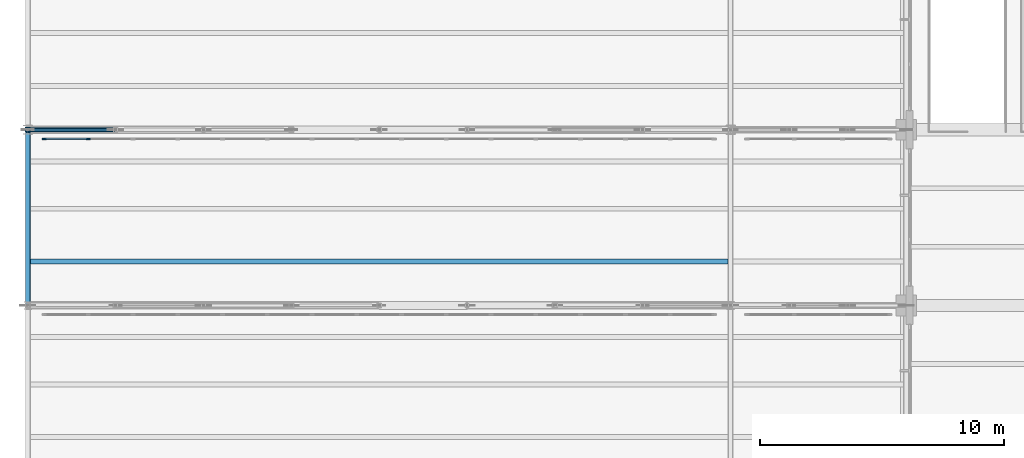
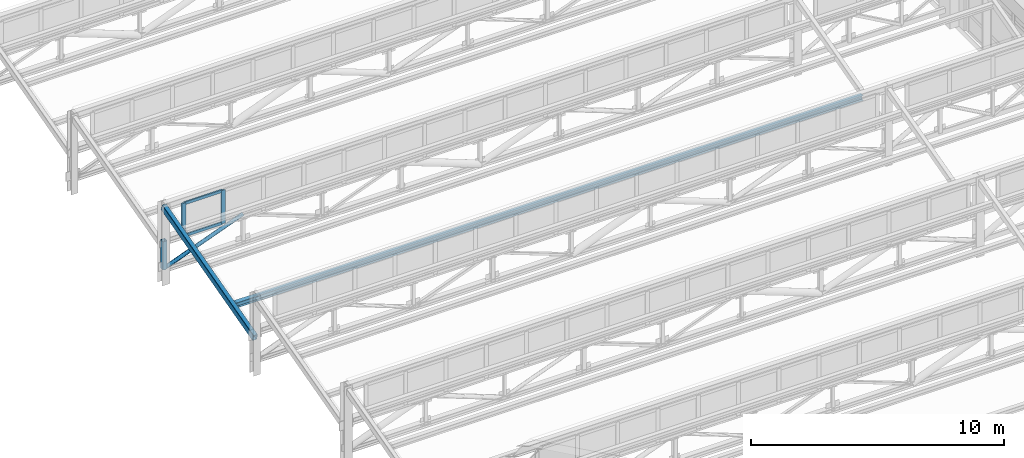
# One storey, part 16 of 98: 6 members, 2 beams, 1 element without a shape of its own.
"""IFC4 building model written with IfcOpenShell, lengths in metres."""

import ifcopenshell
import ifcopenshell.guid

model = None  # the IFC model being written
_history = None  # IfcOwnerHistory: only IFC2X3 demands one
_inside = {}  # id of a spatial element -> (the spatial element, [elements in it])
_under = {}  # id of a project, library or spatial element -> (it, [spatial elements below it])
_declared = {}  # id of a project -> (the project, [libraries it declares])
_typed = {}  # id of a type object -> (the type object, [elements of that type])
_made_of = {}  # id of a material, layer set ... -> (it, [elements and type objects made of it])


def new_model(schema):
    """Start an empty IFC model of exactly this schema.

    Asked for "IFC4X3", IfcOpenShell would pick the latest addendum, in which some entities
    have other attributes; the version numbers below select the first issue.
    IFC2X3 requires an IfcOwnerHistory on every rooted entity: one is made here for all.
    """
    global model, _history
    if schema == "IFC4X3":
        model = ifcopenshell.file(schema_version=(4, 3, 0, 0))
    else:
        model = ifcopenshell.file(schema=schema)
    _inside.clear()
    _under.clear()
    _declared.clear()
    _typed.clear()
    _made_of.clear()
    _history = None
    if model.schema == "IFC2X3":
        org = make("IfcOrganization", Name="unknown")
        user = make(
            "IfcPersonAndOrganization",
            ThePerson=make("IfcPerson", FamilyName="unknown"),
            TheOrganization=org,
        )
        app = make(
            "IfcApplication",
            ApplicationDeveloper=org,
            Version="unknown",
            ApplicationFullName="unknown",
            ApplicationIdentifier="unknown",
        )
        _history = make(
            "IfcOwnerHistory",
            OwningUser=user,
            OwningApplication=app,
            ChangeAction="ADDED",
            CreationDate=0,
        )
    return model


def make(cls, **values):
    """One entity of the class cls with the attributes given. An attribute that is None is left unset."""
    return model.create_entity(
        cls, **{name: value for name, value in values.items() if value is not None}
    )


def rooted(cls, **values):
    """An entity with a GlobalId (a new one), such as an element, a storey or a relation."""
    return make(cls, GlobalId=ifcopenshell.guid.new(), OwnerHistory=_history, **values)


def si_unit(unit_type, name, prefix=None):
    """IfcSIUnit, for example si_unit("LENGTHUNIT", "METRE", prefix="MILLI")."""
    return make("IfcSIUnit", UnitType=unit_type, Prefix=prefix, Name=name)


def assignment(units):
    """IfcUnitAssignment: the units of a project."""
    return None if units is None else make("IfcUnitAssignment", Units=units)


def point(xyz):
    """IfcCartesianPoint."""
    return None if xyz is None else make("IfcCartesianPoint", Coordinates=xyz)


def direction(xyz):
    """IfcDirection."""
    return None if xyz is None else make("IfcDirection", DirectionRatios=xyz)


def frame(location, z_axis=None, x_axis=None):
    """IfcAxis2Placement3D, a coordinate frame: its origin and axes. An axis left out is left unset."""
    return make(
        "IfcAxis2Placement3D",
        Location=point(location),
        Axis=direction(z_axis),
        RefDirection=direction(x_axis),
    )


def frame_2d(location, x_axis=None):
    """IfcAxis2Placement2D, a coordinate frame in the plane: its origin and x axis."""
    return make(
        "IfcAxis2Placement2D", Location=point(location), RefDirection=direction(x_axis)
    )


def origin():
    """The frame at (0, 0, 0) with its axes left unset."""
    return frame((0.0, 0.0, 0.0))


def origin_2d():
    """The frame at (0, 0) in the plane with its x axis left unset."""
    return frame_2d((0.0, 0.0))


def place(relative_to, where):
    """IfcLocalPlacement: puts the frame where relative to a parent placement (None: the world)."""
    return make(
        "IfcLocalPlacement", PlacementRelTo=relative_to, RelativePlacement=where
    )


def context(
    kind, dimensions, precision=None, world=None, true_north=None, identifier=None
):
    """IfcGeometricRepresentationContext, for example the 3D "Model" context."""
    return make(
        "IfcGeometricRepresentationContext",
        ContextIdentifier=identifier,
        ContextType=kind,
        CoordinateSpaceDimension=dimensions,
        Precision=precision,
        WorldCoordinateSystem=world,
        TrueNorth=true_north,
    )


def subcontext(parent, identifier, kind, view, scale=None):
    """IfcGeometricRepresentationSubContext, for example "Body" below "Model"."""
    return make(
        "IfcGeometricRepresentationSubContext",
        ContextIdentifier=identifier,
        ContextType=kind,
        ParentContext=parent,
        TargetScale=scale,
        TargetView=view,
    )


def project(units=None, contexts=None):
    """IfcProject with its units and contexts."""
    return rooted(
        "IfcProject",
        Name="project",
        RepresentationContexts=contexts,
        UnitsInContext=assignment(units),
    )


def spatial(cls, under=None, at=None, **own):
    """A site, building, storey or space (cls), placed at a placement, below another one or the project."""
    s = rooted(cls, ObjectPlacement=at, **own)
    if under is not None:
        _under.setdefault(under.id(), (under, []))[1].append(s)
    return s


def profile(cls, at=None, kind="AREA", **sizes):
    """A parametric profile (cls). Its sizes go by their IFC names, for example OverallWidth=200.0."""
    return make(cls, ProfileType=kind, Position=at, **sizes)


def rectangle(**sizes):
    """IfcRectangleProfileDef."""
    return profile("IfcRectangleProfileDef", **sizes)


def hollow_rectangle(**sizes):
    """IfcRectangleHollowProfileDef."""
    return profile("IfcRectangleHollowProfileDef", **sizes)


def hollow_circle(**sizes):
    """IfcCircleHollowProfileDef."""
    return profile("IfcCircleHollowProfileDef", **sizes)


def i_section(**sizes):
    """IfcIShapeProfileDef."""
    return profile("IfcIShapeProfileDef", **sizes)


def extrude(swept, where, along, depth):
    """IfcExtrudedAreaSolid: the profile swept, set in the frame where, extruded along a direction by depth."""
    return make(
        "IfcExtrudedAreaSolid",
        SweptArea=swept,
        Position=where,
        ExtrudedDirection=direction(along),
        Depth=depth,
    )


def shape(context_of_items, identifier, shape_type, items):
    """IfcShapeRepresentation: the items that make up one representation, for example the "Body"."""
    return make(
        "IfcShapeRepresentation",
        ContextOfItems=context_of_items,
        RepresentationIdentifier=identifier,
        RepresentationType=shape_type,
        Items=items,
    )


def material(Name=None, Category=None):
    """IfcMaterial."""
    return make("IfcMaterial", Name=Name, Category=Category)


def layer(
    of_material, thickness, ventilated=None, Name=None, Category=None, Priority=None
):
    """IfcMaterialLayer: one layer of a wall or slab, of a material (None: an air gap)."""
    return make(
        "IfcMaterialLayer",
        Material=of_material,
        LayerThickness=thickness,
        IsVentilated=ventilated,
        Name=Name,
        Category=Category,
        Priority=Priority,
    )


def layer_set(layers, Name=None):
    """IfcMaterialLayerSet."""
    return make("IfcMaterialLayerSet", MaterialLayers=layers, LayerSetName=Name)


def material_profile(
    of_material, cross_section, Name=None, Category=None, Priority=None
):
    """IfcMaterialProfile: a cross section and its material."""
    return make(
        "IfcMaterialProfile",
        Name=Name,
        Material=of_material,
        Profile=cross_section,
        Priority=Priority,
        Category=Category,
    )


def profile_set(profiles, Name=None, composite=None):
    """IfcMaterialProfileSet."""
    return make(
        "IfcMaterialProfileSet",
        Name=Name,
        MaterialProfiles=profiles,
        CompositeProfile=composite,
    )


def made_of(thing, what):
    """Note that an element or type object is made of a material, layer set ...; save() writes the relation."""
    if what is not None:
        _made_of.setdefault(what.id(), (what, []))[1].append(thing)
    return thing


def type_object(cls, material=None, **own):
    """A type object (cls), such as IfcWallType, which elements share."""
    return made_of(rooted(cls, **own), material)


def element(
    cls,
    number,
    at=None,
    inside=None,
    cuts=None,
    type_object=None,
    material=None,
    context=None,
    identifier="Body",
    shape_type=None,
    held_by="IfcProductDefinitionShape",
    body=None,
    shapes=None,
    **own,
):
    """One element of the class cls, such as IfcWall. Its Tag is "e" and its number.

    at: its placement. inside: the storey or other place that contains it. cuts: it is an
    opening in that element (IfcRelVoidsElement). A single representation is given by context,
    identifier, shape_type and body (its items); several are given by shapes. held_by: the class
    of the entity that holds the representations. save() writes the other relations.
    """
    e = rooted(cls, Tag="e%d" % number, ObjectPlacement=at, **own)
    if body is not None:
        shapes = [shape(context, identifier, shape_type, body)]
    if shapes is not None:
        e.Representation = make(held_by, Representations=shapes)
    if inside is not None:
        _inside.setdefault(inside.id(), (inside, []))[1].append(e)
    if cuts is not None:
        rooted(
            "IfcRelVoidsElement", RelatingBuildingElement=cuts, RelatedOpeningElement=e
        )
    if type_object is not None:
        _typed.setdefault(type_object.id(), (type_object, []))[1].append(e)
    return made_of(e, material)


def aggregate(whole, parts):
    """IfcRelAggregates: a whole, such as a stair, and the parts it consists of."""
    return rooted("IfcRelAggregates", RelatingObject=whole, RelatedObjects=parts)


def save(model, path):
    """Write the relations noted so far, then the file.

    IfcRelAggregates (storeys below a building ...), IfcRelContainedInSpatialStructure (elements
    in a storey), IfcRelDefinesByType, IfcRelAssociatesMaterial and IfcRelDeclares: one each for
    every whole, place, type object, material and project.
    """
    for whole, parts in _under.values():
        aggregate(whole, parts)
    for where, things in _inside.values():
        rooted(
            "IfcRelContainedInSpatialStructure",
            RelatedElements=things,
            RelatingStructure=where,
        )
    for kind, things in _typed.values():
        rooted("IfcRelDefinesByType", RelatedObjects=things, RelatingType=kind)
    for what, things in _made_of.values():
        rooted("IfcRelAssociatesMaterial", RelatedObjects=things, RelatingMaterial=what)
    for by, libraries in _declared.values():
        rooted("IfcRelDeclares", RelatingContext=by, RelatedDefinitions=libraries)
    model.write(path)


model = new_model("IFC4")

# Units and contexts
model_context = context("Model", 3, precision=1e-05, world=origin(), true_north=direction((0.0, 1.0)))
body_context = subcontext(model_context, "Body", "Model", "MODEL_VIEW")
ifc_project = project(units=[si_unit("LENGTHUNIT", "METRE"), si_unit("AREAUNIT", "SQUARE_METRE"), si_unit("VOLUMEUNIT", "CUBIC_METRE"), si_unit("PLANEANGLEUNIT", "RADIAN"), si_unit("MASSUNIT", "GRAM", prefix="KILO")], contexts=[model_context])

# Site, building, storey
site_placement = place(None, origin())
site = spatial("IfcSite", under=ifc_project, at=site_placement, CompositionType="ELEMENT")
building_placement = place(site_placement, origin())
building = spatial("IfcBuilding", under=site, at=building_placement, Name="Solenvale Faculty of Natural Sciences", CompositionType="ELEMENT")
storey_placement = place(building_placement, frame((0.0, 0.0, 9.0)))
storey = spatial("IfcBuildingStorey", under=building, at=storey_placement, Name="L02", CompositionType="ELEMENT", Elevation=9.0)

# Beams
ifc_material_1 = material(Name="Steel S355", Category="steel")
ifc_material_profile_1 = material_profile(ifc_material_1, i_section(OverallWidth=0.202880859375, OverallDepth=0.251953125, WebThickness=0.008056640625, FlangeThickness=0.013427734375, FilletRadius=0.012939453125, at=origin_2d()), Name="W250x58")
ifc_profile_set_1 = profile_set([ifc_material_profile_1], Name="Steel S355")
beam_type_1 = type_object("IfcBeamType", Name="BM-PRL-W250x58", PredefinedType="JOIST", material=ifc_profile_set_1)
beam_1_placement = place(storey_placement, frame((0.0, 23.39990234375, 2.17919921875), z_axis=(1.0, 0.0, 0.0), x_axis=(0.0, 1.0, 0.0)))
element("IfcBeam", 1, at=beam_1_placement, inside=storey, type_object=beam_type_1, Name="V1 Sawtooth Purlin 4.1.1", PredefinedType="JOIST", context=body_context, shape_type="SweptSolid", body=[
    extrude(i_section(OverallWidth=0.202880859375, OverallDepth=0.251953125, WebThickness=0.008056640625, FlangeThickness=0.013427734375, FilletRadius=0.012939453125, at=origin_2d()), origin(), (0.0, 0.0, 1.0), 28.7041015625),
])
ifc_material_profile_2 = material_profile(ifc_material_1, hollow_rectangle(XDim=0.202880859375, YDim=0.304931640625, WallThickness=0.0126953125, InnerFilletRadius=0.0126953125, OuterFilletRadius=0.025390625, at=origin_2d()), Name="HSS305x203x13")
ifc_profile_set_2 = profile_set([ifc_material_profile_2], Name="Steel S355")
beam_type_2 = type_object("IfcBeamType", Name="BM-RAF-HSS305", PredefinedType="BEAM", material=ifc_profile_set_2)
beam_2_placement = place(storey_placement, frame((0.0, 21.60009765625, 1.719970703125), z_axis=(0.0, 0.965901991803, 0.258907980238), x_axis=(-1.0, 0.0, 0.0)))
element("IfcBeam", 2, at=beam_2_placement, inside=storey, type_object=beam_type_2, Name="V1 Sawtooth End Rafter 4.1.W", PredefinedType="BEAM", context=body_context, shape_type="SweptSolid", body=[
    extrude(hollow_rectangle(XDim=0.202880859375, YDim=0.304931640625, WallThickness=0.0126953125, InnerFilletRadius=0.0126953125, OuterFilletRadius=0.025390625, at=origin_2d()), origin(), (0.0, 0.0, 1.0), 7.4541015625),
])

# Curtain wall, members
ifc_material_2 = material(Name="Anodised bronze aluminium", Category="aluminium")
ifc_layer = layer(ifc_material_2, 0.1650390625)
ifc_layer_set = layer_set([ifc_layer], Name="Anodised bronze aluminium")
curtain_wall_type = type_object("IfcCurtainWallType", Name="CW-SAW-CLR", PredefinedType="USERDEFINED", material=ifc_layer_set)
curtain_wall_placement = place(storey_placement, origin())
curtain_wall = element("IfcCurtainWall", 3, at=curtain_wall_placement, inside=storey, type_object=curtain_wall_type, Name="L02 Curtain Wall SAW-V1-CW-4-1", ObjectType="NORTH LIGHT CLERESTORY", PredefinedType="USERDEFINED")
ifc_material_profile_3 = material_profile(ifc_material_2, rectangle(XDim=0.06494140625, YDim=0.175048828125, at=origin_2d()), Name="ALU-MUL-65x175")
ifc_profile_set_3 = profile_set([ifc_material_profile_3], Name="Anodised bronze aluminium")
member_type_1 = type_object("IfcMemberType", Name="CWM-ALU-65x175", PredefinedType="MULLION", material=ifc_profile_set_3)
member_1_placement = place(storey_placement, frame((2.474609375, 28.419921875, 2.22998046875), z_axis=(0.0, 0.0, 1.0), x_axis=(0.0, -1.0, 0.0)))
member_1 = element("IfcMember", 4, at=member_1_placement, type_object=member_type_1, Name="CW-05 mullion 15", PredefinedType="MULLION", context=body_context, shape_type="SweptSolid", body=[
    extrude(rectangle(XDim=0.06494140625, YDim=0.175048828125, at=origin_2d()), origin(), (0.0, 0.0, 1.0), 1.610107421875),
])
member_2_placement = place(storey_placement, frame((0.672607421875, 28.419921875, 2.22998046875), z_axis=(0.0, 0.0, 1.0), x_axis=(0.0, -1.0, 0.0)))
member_2 = element("IfcMember", 5, at=member_2_placement, type_object=member_type_1, Name="CW-05 mullion 16", PredefinedType="MULLION", context=body_context, shape_type="SweptSolid", body=[
    extrude(rectangle(XDim=0.06494140625, YDim=0.175048828125, at=origin_2d()), origin(), (0.0, 0.0, 1.0), 1.610107421875),
])
ifc_material_profile_4 = material_profile(ifc_material_2, rectangle(XDim=0.06494140625, YDim=0.135009765625, at=origin_2d()), Name="ALU-TRN-65x135")
ifc_profile_set_4 = profile_set([ifc_material_profile_4], Name="Anodised bronze aluminium")
member_type_2 = type_object("IfcMemberType", Name="CWT-ALU-65x135", PredefinedType="USERDEFINED", material=ifc_profile_set_4)
member_3_placement = place(storey_placement, frame((2.442138671875, 28.419921875, 2.262451171875), z_axis=(-1.0, 0.0, 0.0), x_axis=(0.0, -1.0, 0.0)))
member_3 = element("IfcMember", 6, at=member_3_placement, type_object=member_type_2, Name="CW-05 transom 15.1", ObjectType="TRANSOM", PredefinedType="USERDEFINED", context=body_context, shape_type="SweptSolid", body=[
    extrude(rectangle(XDim=0.06494140625, YDim=0.135009765625, at=origin_2d()), origin(), (0.0, 0.0, 1.0), 1.737060546875),
])
member_4_placement = place(storey_placement, frame((2.442138671875, 28.419921875, 3.8076171875), z_axis=(-1.0, 0.0, 0.0), x_axis=(0.0, -1.0, 0.0)))
member_4 = element("IfcMember", 7, at=member_4_placement, type_object=member_type_2, Name="CW-05 transom 15.2", ObjectType="TRANSOM", PredefinedType="USERDEFINED", context=body_context, shape_type="SweptSolid", body=[
    extrude(rectangle(XDim=0.06494140625, YDim=0.135009765625, at=origin_2d()), origin(), (0.0, 0.0, 1.0), 1.737060546875),
])
aggregate(curtain_wall, [member_1, member_2, member_3, member_4])

# Members
ifc_material_profile_5 = material_profile(ifc_material_1, hollow_circle(Radius=0.084228515625, WallThickness=0.008056640625, at=origin_2d()), Name="HSS168x8.0")
ifc_profile_set_5 = profile_set([ifc_material_profile_5], Name="Steel S355")
member_type_3 = type_object("IfcMemberType", Name="MB-BRC-CHS168", PredefinedType="BRACE", material=ifc_profile_set_5)
member_5_placement = place(storey_placement, frame((0.0, 28.800048828125, 0.68994140625), z_axis=(0.935466034784, 0.0, 0.353416606522), x_axis=(0.0, 1.0, 0.0)))
element("IfcMember", 8, at=member_5_placement, inside=storey, type_object=member_type_3, Name="V1 Truss 4.1 Diagonal 1", PredefinedType="BRACE", context=body_context, shape_type="SweptSolid", body=[
    extrude(hollow_circle(Radius=0.084228515625, WallThickness=0.008056640625, at=origin_2d()), origin(), (0.0, 0.0, 1.0), 3.848388671875),
])
ifc_material_profile_6 = material_profile(ifc_material_1, hollow_rectangle(XDim=0.202880859375, YDim=0.202880859375, WallThickness=0.0126953125, InnerFilletRadius=0.0126953125, OuterFilletRadius=0.025390625, at=origin_2d()), Name="HSS203x203x13")
ifc_profile_set_6 = profile_set([ifc_material_profile_6], Name="Steel S355")
member_type_4 = type_object("IfcMemberType", Name="MB-STR-HSS203", PredefinedType="STRUT", material=ifc_profile_set_6)
member_6_placement = place(storey_placement, frame((0.0, 28.800048828125, 0.68994140625), z_axis=(0.0, 0.0, 1.0), x_axis=(1.0, 0.0, 0.0)))
element("IfcMember", 9, at=member_6_placement, inside=storey, type_object=member_type_4, Name="V1 Truss 4.1 Strut 0", PredefinedType="STRUT", context=body_context, shape_type="SweptSolid", body=[
    extrude(hollow_rectangle(XDim=0.202880859375, YDim=0.202880859375, WallThickness=0.0126953125, InnerFilletRadius=0.0126953125, OuterFilletRadius=0.025390625, at=origin_2d()), origin(), (0.0, 0.0, 1.0), 1.360107421875),
])

save(model, "model.ifc")
